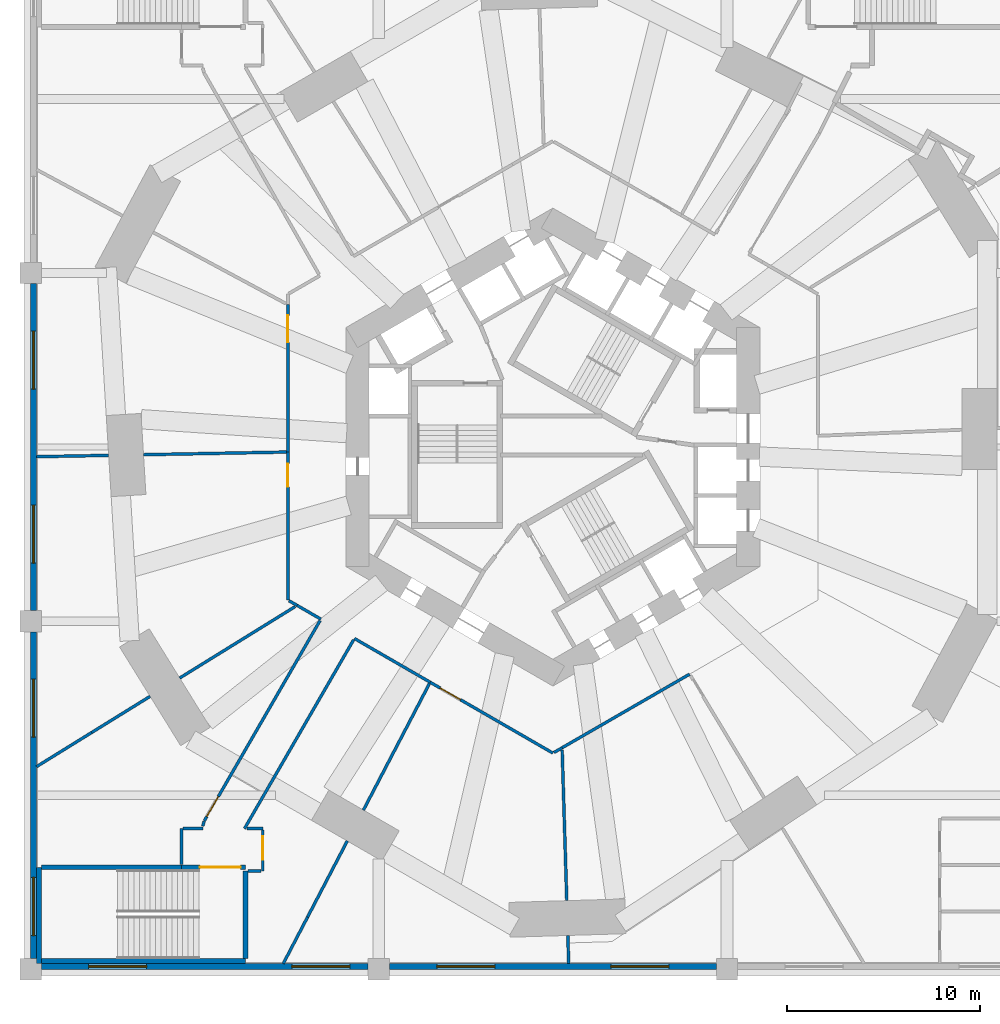
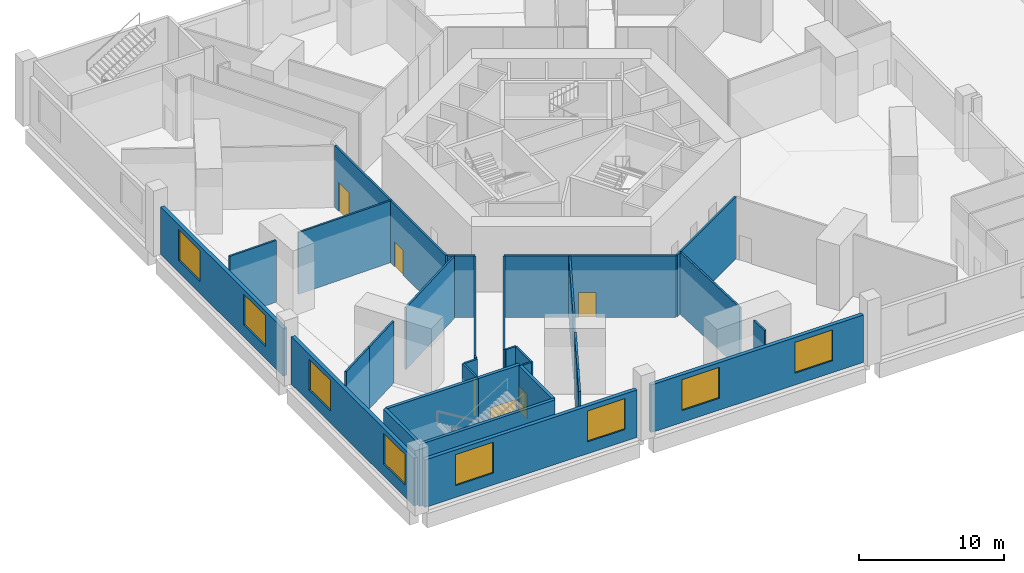
# One storey, part 5 of 16: 35 walls, 8 windows, 6 doors, 14 openings.
"""IFC4 building model written with IfcOpenShell, lengths in metres."""

from ifc_helpers import new_model, si_unit, direction, frame, frame_2d, origin, place, context, subcontext, project, spatial, rectangle, extrude, material, layer, layer_set, type_object, element, fill, save


model = new_model("IFC4")

# Units and contexts
model_context = context("Model", 3, precision=1e-05, world=origin(), true_north=direction((0.0, 1.0)))
body_context = subcontext(model_context, "Body", "Model", "MODEL_VIEW")
ifc_project = project(units=[si_unit("LENGTHUNIT", "METRE"), si_unit("AREAUNIT", "SQUARE_METRE"), si_unit("VOLUMEUNIT", "CUBIC_METRE"), si_unit("PLANEANGLEUNIT", "RADIAN"), si_unit("MASSUNIT", "GRAM", prefix="KILO")], contexts=[model_context])

# Site, building, storey
site_placement = place(None, origin())
site = spatial("IfcSite", under=ifc_project, at=site_placement, CompositionType="ELEMENT")
building_placement = place(site_placement, origin())
building = spatial("IfcBuilding", under=site, at=building_placement, Name="Vanh Sen Convention Tower", CompositionType="ELEMENT")
storey_placement = place(building_placement, frame((0.0, 0.0, 7.5)))
storey = spatial("IfcBuildingStorey", under=building, at=storey_placement, Name="L01", CompositionType="ELEMENT", Elevation=7.5)

# Walls
ifc_material_1 = material(Name="Concrete C40/50", Category="concrete")
ifc_layer_1 = layer(ifc_material_1, 0.25)
ifc_layer_set_1 = layer_set([ifc_layer_1], Name="Concrete C40/50")
wall_type_1 = type_object("IfcWallType", Name="Concrete wall 250 REI 180", PredefinedType="SOLIDWALL", material=ifc_layer_set_1)
wall_1_placement = place(storey_placement, frame((-15.89990234375, -21.925048828125, 0.0), z_axis=(0.0, 0.0, 1.0), x_axis=(0.0, -1.0, 0.0)))
element("IfcWall", 1, at=wall_1_placement, inside=storey, type_object=wall_type_1, Name="Fire-resisting wall L01-010", PredefinedType="SOLIDWALL", context=body_context, shape_type="SweptSolid", body=[
    extrude(rectangle(XDim=4.514892578125, YDim=0.25, at=frame_2d((2.25732421875, 0.0))), origin(), (0.0, 0.0, 1.0), 5.199951171875),
])
wall_2_placement = place(storey_placement, frame((-26.43994140625, -21.72509765625, 0.0), z_axis=(0.0, 0.0, 1.0), x_axis=(1.0, 0.0, 0.0)))
element("IfcWall", 2, at=wall_2_placement, inside=storey, type_object=wall_type_1, Name="Fire-resisting wall L01-012", PredefinedType="SOLIDWALL", context=body_context, shape_type="SweptSolid", body=[
    extrude(rectangle(XDim=7.239990234375, YDim=0.25, at=frame_2d((3.6201171875, 0.0))), origin(), (0.0, 0.0, 1.0), 5.199951171875),
])

# Wall, opening, door
wall_3_placement = place(storey_placement, frame((-19.199951171875, -21.72509765625, 0.0), z_axis=(0.0, 0.0, 1.0), x_axis=(1.0, 0.0, 0.0)))
wall_3 = element("IfcWall", 3, at=wall_3_placement, inside=storey, type_object=wall_type_1, Name="Fire-resisting wall L01-013", PredefinedType="SOLIDWALL", context=body_context, shape_type="SweptSolid", body=[
    extrude(rectangle(XDim=3.300048828125, YDim=0.25, at=frame_2d((1.64990234375, 0.0))), origin(), (0.0, 0.0, 1.0), 5.199951171875),
])
opening_1_placement = place(wall_3_placement, frame((0.949951171875, 0.0, 0.0)))
opening_1 = element("IfcOpeningElement", 4, at=opening_1_placement, cuts=wall_3, Name="Opening D01103", PredefinedType="OPENING", context=body_context, shape_type="SweptSolid", body=[
    extrude(rectangle(XDim=2.10009765625, YDim=2.39990234375, at=frame_2d((1.050048828125, 1.199951171875))), frame((0.0, 0.135009765625, 0.0), z_axis=(0.0, -1.0, 0.0), x_axis=(1.0, 0.0, 0.0)), (0.0, 0.0, 1.0), 0.27001953125),
])
ifc_material_2 = material(Name="Steel S355", Category="steel")
door_type_1 = type_object("IfcDoorType", Name="Stair door 2100 EI 60", OperationType="DOUBLE_DOOR_SINGLE_SWING", PredefinedType="DOOR", material=ifc_material_2)
door_1_placement = place(opening_1_placement, frame((2.10009765625, 0.0, 0.0), z_axis=(0.0, 0.0, 1.0), x_axis=(-1.0, 0.0, 0.0)))
door_1 = element("IfcDoor", 5, at=door_1_placement, inside=storey, type_object=door_type_1, Name="Stair door D01103", OperationType="DOUBLE_DOOR_SINGLE_SWING", OverallHeight=2.39990234375, OverallWidth=2.10009765625, PredefinedType="DOOR", context=body_context, shape_type="SweptSolid", body=[
    extrude(rectangle(XDim=2.10009765625, YDim=2.39990234375, at=frame_2d((1.050048828125, 1.199951171875))), frame((0.0, 0.02490234375, 0.0), z_axis=(0.0, -1.0, 0.0), x_axis=(1.0, 0.0, 0.0)), (0.0, 0.0, 1.0), 0.050048828125),
])
fill(opening_1, door_1)

# Walls
wall_4_placement = place(storey_placement, frame((-26.574951171875, -21.72509765625, 0.0), z_axis=(0.0, 0.0, 1.0), x_axis=(0.0, -1.0, 0.0)))
element("IfcWall", 6, at=wall_4_placement, inside=storey, type_object=wall_type_1, Name="Stair enclosure wall PS6 L01", PredefinedType="SOLIDWALL", context=body_context, shape_type="SweptSolid", body=[
    extrude(rectangle(XDim=4.974853515625, YDim=0.25, at=frame_2d((2.4873046875, 0.0))), origin(), (0.0, 0.0, 1.0), 5.199951171875),
])
wall_5_placement = place(storey_placement, frame((-26.449951171875, -26.574951171875, 0.0), z_axis=(0.0, 0.0, 1.0), x_axis=(1.0, 0.0, 0.0)))
element("IfcWall", 7, at=wall_5_placement, inside=storey, type_object=wall_type_1, Name="Stair enclosure wall PS6 L01", PredefinedType="SOLIDWALL", context=body_context, shape_type="SweptSolid", body=[
    extrude(rectangle(XDim=10.550048828125, YDim=0.25, at=frame_2d((5.27490234375, 0.0))), origin(), (0.0, 0.0, 1.0), 5.199951171875),
])
ifc_material_3 = material(Name="Acoustic operable panels on an overhead track", Category="gypsum")
ifc_layer_2 = layer(ifc_material_3, 0.14990234375)
ifc_layer_set_2 = layer_set([ifc_layer_2], Name="Acoustic operable panels on an overhead track")
wall_type_2 = type_object("IfcWallType", Name="Operable partition 150 EI 60", PredefinedType="MOVABLE", material=ifc_layer_set_2)
wall_6_placement = place(storey_placement, frame((-9.79638671875, -18.765869140625, 0.0), z_axis=(0.0, 0.0, 1.0), x_axis=(0.462793341808, 0.886466199456, 0.0)))
element("IfcWall", 8, at=wall_6_placement, inside=storey, type_object=wall_type_2, Name="Operable partition L01-027", PredefinedType="MOVABLE", context=body_context, shape_type="SweptSolid", body=[
    extrude(rectangle(XDim=7.37646484375, YDim=0.14990234375, at=frame_2d((3.688232421875, 0.0))), origin(), (0.0, 0.0, 1.0), 5.199951171875),
])
wall_7_placement = place(storey_placement, frame((-13.780029296875, -0.256591796875, 0.0), z_axis=(0.0, 0.0, 1.0), x_axis=(-0.999826849708, -0.018608347649, 0.0)))
element("IfcWall", 9, at=wall_7_placement, inside=storey, type_object=wall_type_2, Name="Operable partition L01-049", PredefinedType="MOVABLE", context=body_context, shape_type="SweptSolid", body=[
    extrude(rectangle(XDim=7.386474609375, YDim=0.14990234375, at=frame_2d((3.693359375, 0.0))), origin(), (0.0, 0.0, 1.0), 5.199951171875),
])
ifc_material_4 = material(Name="Gypsum board on steel studs", Category="steel")
ifc_layer_3 = layer(ifc_material_4, 0.14990234375)
ifc_layer_set_3 = layer_set([ifc_layer_3], Name="Gypsum board on steel studs")
wall_type_3 = type_object("IfcWallType", Name="Partition 150 EI 60", PredefinedType="PARTITIONING", material=ifc_layer_set_3)
wall_8_placement = place(storey_placement, frame((0.771484375, -25.247802734375, 0.0), z_axis=(0.0, 0.0, 1.0), x_axis=(0.030584206332, -0.99953219374, 0.0)))
element("IfcWall", 10, at=wall_8_placement, inside=storey, type_object=wall_type_3, Name="Partition L01-004", PredefinedType="PARTITIONING", context=body_context, shape_type="SweptSolid", body=[
    extrude(rectangle(XDim=1.452880859375, YDim=0.14990234375, at=frame_2d((0.7265625, 0.0))), origin(), (0.0, 0.0, 1.0), 5.199951171875),
])
wall_9_placement = place(storey_placement, frame((-12.685546875, -24.300048828125, 0.0), z_axis=(0.0, 0.0, 1.0), x_axis=(-0.462800215564, -0.886462610872, 0.0)))
element("IfcWall", 11, at=wall_9_placement, inside=storey, type_object=wall_type_3, Name="Partition L01-005", PredefinedType="PARTITIONING", context=body_context, shape_type="SweptSolid", body=[
    extrude(rectangle(XDim=2.707275390625, YDim=0.14990234375, at=frame_2d((1.353515625, 0.0))), origin(), (0.0, 0.0, 1.0), 5.199951171875),
])
wall_10_placement = place(storey_placement, frame((-12.685546875, -24.300048828125, 0.0), z_axis=(0.0, 0.0, 1.0), x_axis=(0.462800821993, 0.88646229427, 0.0)))
element("IfcWall", 12, at=wall_10_placement, inside=storey, type_object=wall_type_3, Name="Partition L01-006", PredefinedType="PARTITIONING", context=body_context, shape_type="SweptSolid", body=[
    extrude(rectangle(XDim=4.441162109375, YDim=0.14990234375, at=frame_2d((2.220703125, 0.0))), origin(), (0.0, 0.0, 1.0), 5.199951171875),
])
wall_11_placement = place(storey_placement, frame((-15.080078125, -21.925048828125, 0.0), z_axis=(0.0, 0.0, 1.0), x_axis=(-1.0, 0.0, 0.0)))
element("IfcWall", 13, at=wall_11_placement, inside=storey, type_object=wall_type_3, Name="Partition L01-011", PredefinedType="PARTITIONING", context=body_context, shape_type="SweptSolid", body=[
    extrude(rectangle(XDim=0.679931640625, YDim=0.14990234375, at=frame_2d((0.33984375, 0.0))), origin(), (0.0, 0.0, 1.0), 5.199951171875),
])
wall_12_placement = place(storey_placement, frame((-19.199951171875, -21.5849609375, 0.0), z_axis=(0.0, 0.0, 1.0), x_axis=(0.0, 1.0, 0.0)))
element("IfcWall", 14, at=wall_12_placement, inside=storey, type_object=wall_type_3, Name="Partition L01-018", PredefinedType="PARTITIONING", context=body_context, shape_type="SweptSolid", body=[
    extrude(rectangle(XDim=1.85986328125, YDim=0.14990234375, at=frame_2d((0.929931640625, 0.0))), origin(), (0.0, 0.0, 1.0), 5.199951171875),
])

# Wall, opening, door
wall_13_placement = place(storey_placement, frame((-15.0, -19.804931640625, 0.0), z_axis=(0.0, 0.0, 1.0), x_axis=(0.0, -1.0, 0.0)))
wall_13 = element("IfcWall", 15, at=wall_13_placement, inside=storey, type_object=wall_type_3, Name="Partition L01-019", PredefinedType="PARTITIONING", context=body_context, shape_type="SweptSolid", body=[
    extrude(rectangle(XDim=2.1201171875, YDim=0.14990234375, at=frame_2d((1.06005859375, 0.0))), origin(), (0.0, 0.0, 1.0), 5.199951171875),
])
opening_2_placement = place(wall_13_placement, frame((0.320068359375, 0.0, 0.0)))
opening_2 = element("IfcOpeningElement", 16, at=opening_2_placement, cuts=wall_13, Name="Opening D01106", PredefinedType="OPENING", context=body_context, shape_type="SweptSolid", body=[
    extrude(rectangle(XDim=1.199951171875, YDim=2.10009765625, at=frame_2d((0.60009765625, 1.050048828125))), frame((0.0, 0.0849609375, 0.0), z_axis=(0.0, -1.0, 0.0), x_axis=(1.0, 0.0, 0.0)), (0.0, 0.0, 1.0), 0.169921875),
])
ifc_material_5 = material(Name="Timber door in steel frame", Category="steel")
door_type_2 = type_object("IfcDoorType", Name="Room door 1200 EI 30", OperationType="SINGLE_SWING_LEFT", PredefinedType="DOOR", material=ifc_material_5)
door_2_placement = place(opening_2_placement, origin())
door_2 = element("IfcDoor", 17, at=door_2_placement, inside=storey, type_object=door_type_2, Name="Room door D01106", OperationType="SINGLE_SWING_LEFT", OverallHeight=2.10009765625, OverallWidth=1.199951171875, PredefinedType="DOOR", context=body_context, shape_type="SweptSolid", body=[
    extrude(rectangle(XDim=1.199951171875, YDim=2.10009765625, at=frame_2d((0.60009765625, 1.050048828125))), frame((0.0, 0.02490234375, 0.0), z_axis=(0.0, -1.0, 0.0), x_axis=(1.0, 0.0, 0.0)), (0.0, 0.0, 1.0), 0.050048828125),
])
fill(opening_2, door_2)

# Walls
wall_14_placement = place(storey_placement, frame((-19.1201171875, -19.72509765625, 0.0), z_axis=(0.0, 0.0, 1.0), x_axis=(1.0, 0.0, 0.0)))
element("IfcWall", 18, at=wall_14_placement, inside=storey, type_object=wall_type_3, Name="Partition L01-020", PredefinedType="PARTITIONING", context=body_context, shape_type="SweptSolid", body=[
    extrude(rectangle(XDim=1.02001953125, YDim=0.14990234375, at=frame_2d((0.510009765625, 0.0))), origin(), (0.0, 0.0, 1.0), 5.199951171875),
])
wall_15_placement = place(storey_placement, frame((-15.824951171875, -19.72509765625, 0.0), z_axis=(0.0, 0.0, 1.0), x_axis=(1.0, 0.0, 0.0)))
element("IfcWall", 19, at=wall_15_placement, inside=storey, type_object=wall_type_3, Name="Partition L01-021", PredefinedType="PARTITIONING", context=body_context, shape_type="SweptSolid", body=[
    extrude(rectangle(XDim=0.824951171875, YDim=0.14990234375, at=frame_2d((0.41259765625, 0.0))), origin(), (0.0, 0.0, 1.0), 5.199951171875),
])
wall_16_placement = place(storey_placement, frame((-18.10009765625, -19.593017578125, 0.0), z_axis=(0.0, 0.0, 1.0), x_axis=(0.260139468531, 0.965571052234, 0.0)))
element("IfcWall", 20, at=wall_16_placement, inside=storey, type_object=wall_type_3, Name="Partition L01-023", PredefinedType="PARTITIONING", context=body_context, shape_type="SweptSolid", body=[
    extrude(rectangle(XDim=0.263671875, YDim=0.14990234375, at=frame_2d((0.1318359375, 0.0))), origin(), (0.0, 0.0, 1.0), 5.199951171875),
])

# Wall, opening, door
wall_17_placement = place(storey_placement, frame((-18.021484375, -19.3212890625, 0.0), z_axis=(0.0, 0.0, 1.0), x_axis=(0.500403049961, 0.865792577694, 0.0)))
wall_17 = element("IfcWall", 21, at=wall_17_placement, inside=storey, type_object=wall_type_3, Name="Partition L01-024", PredefinedType="PARTITIONING", context=body_context, shape_type="SweptSolid", body=[
    extrude(rectangle(XDim=11.96337890625, YDim=0.14990234375, at=frame_2d((5.981689453125, 0.0))), origin(), (0.0, 0.0, 1.0), 5.199951171875),
])
opening_3_placement = place(wall_17_placement, frame((0.25, 0.0, 0.0)))
opening_3 = element("IfcOpeningElement", 22, at=opening_3_placement, cuts=wall_17, Name="Opening D01107", PredefinedType="OPENING", context=body_context, shape_type="SweptSolid", body=[
    extrude(rectangle(XDim=1.199951171875, YDim=2.10009765625, at=frame_2d((0.60009765625, 1.050048828125))), frame((0.0, 0.0849609375, 0.0), z_axis=(0.0, -1.0, 0.0), x_axis=(1.0, 0.0, 0.0)), (0.0, 0.0, 1.0), 0.169921875),
])
door_3_placement = place(opening_3_placement, origin())
door_3 = element("IfcDoor", 23, at=door_3_placement, inside=storey, type_object=door_type_2, Name="Room door D01107", OperationType="SINGLE_SWING_LEFT", OverallHeight=2.10009765625, OverallWidth=1.199951171875, PredefinedType="DOOR", context=body_context, shape_type="SweptSolid", body=[
    extrude(rectangle(XDim=1.199951171875, YDim=2.10009765625, at=frame_2d((0.60009765625, 1.050048828125))), frame((0.0, 0.02490234375, 0.0), z_axis=(0.0, -1.0, 0.0), x_axis=(1.0, 0.0, 0.0)), (0.0, 0.0, 1.0), 0.050048828125),
])
fill(opening_3, door_3)

wall_18_placement = place(storey_placement, frame((0.0, -15.819580078125, 0.0), z_axis=(0.0, 0.0, 1.0), x_axis=(-0.866018019704, 0.500012789385, 0.0)))
wall_18 = element("IfcWall", 24, at=wall_18_placement, inside=storey, type_object=wall_type_3, Name="Partition L01-029", PredefinedType="PARTITIONING", context=body_context, shape_type="SweptSolid", body=[
    extrude(rectangle(XDim=7.327392578125, YDim=0.14990234375, at=frame_2d((3.66357421875, 0.0))), origin(), (0.0, 0.0, 1.0), 5.199951171875),
])
opening_4_placement = place(wall_18_placement, frame((5.52734375, 0.0, 0.0)))
opening_4 = element("IfcOpeningElement", 25, at=opening_4_placement, cuts=wall_18, Name="Opening D01110", PredefinedType="OPENING", context=body_context, shape_type="SweptSolid", body=[
    extrude(rectangle(XDim=1.199951171875, YDim=2.10009765625, at=frame_2d((0.60009765625, 1.050048828125))), frame((0.0, 0.0849609375, 0.0), z_axis=(0.0, -1.0, 0.0), x_axis=(1.0, 0.0, 0.0)), (0.0, 0.0, 1.0), 0.169921875),
])
door_4_placement = place(opening_4_placement, origin())
door_4 = element("IfcDoor", 26, at=door_4_placement, inside=storey, type_object=door_type_2, Name="Room door D01110", OperationType="SINGLE_SWING_LEFT", OverallHeight=2.10009765625, OverallWidth=1.199951171875, PredefinedType="DOOR", context=body_context, shape_type="SweptSolid", body=[
    extrude(rectangle(XDim=1.199951171875, YDim=2.10009765625, at=frame_2d((0.60009765625, 1.050048828125))), frame((0.0, 0.02490234375, 0.0), z_axis=(0.0, -1.0, 0.0), x_axis=(1.0, 0.0, 0.0)), (0.0, 0.0, 1.0), 0.050048828125),
])
fill(opening_4, door_4)

# Walls
wall_19_placement = place(storey_placement, frame((0.478759765625, -15.6650390625, 0.0), z_axis=(0.0, 0.0, 1.0), x_axis=(0.030535907252, -0.999533670453, 0.0)))
element("IfcWall", 27, at=wall_19_placement, inside=storey, type_object=wall_type_3, Name="Partition L01-030", PredefinedType="PARTITIONING", context=body_context, shape_type="SweptSolid", body=[
    extrude(rectangle(XDim=7.787353515625, YDim=0.14990234375, at=frame_2d((3.8935546875, 0.0))), origin(), (0.0, 0.0, 1.0), 5.199951171875),
])
wall_20_placement = place(storey_placement, frame((0.474853515625, -15.545166015625, 0.0), z_axis=(0.0, 0.0, 1.0), x_axis=(0.866021168401, 0.500007335828, 0.0)))
element("IfcWall", 28, at=wall_20_placement, inside=storey, type_object=wall_type_3, Name="Partition L01-031", PredefinedType="PARTITIONING", context=body_context, shape_type="SweptSolid", body=[
    extrude(rectangle(XDim=7.6162109375, YDim=0.14990234375, at=frame_2d((3.80810546875, 0.0))), origin(), (0.0, 0.0, 1.0), 5.199951171875),
])
wall_21_placement = place(storey_placement, frame((0.47509765625, -15.545166015625, 0.0), z_axis=(0.0, 0.0, 1.0), x_axis=(-0.865927594567, -0.50016937228, 0.0)))
element("IfcWall", 29, at=wall_21_placement, inside=storey, type_object=wall_type_3, Name="Partition L01-032", PredefinedType="PARTITIONING", context=body_context, shape_type="SweptSolid", body=[
    extrude(rectangle(XDim=0.488525390625, YDim=0.14990234375, at=frame_2d((0.244140625, 0.0))), origin(), (0.0, 0.0, 1.0), 5.199951171875),
])
wall_22_placement = place(storey_placement, frame((-23.843017578125, -14.75439453125, 0.0), z_axis=(0.0, 0.0, 1.0), x_axis=(-0.850333278488, -0.526244539635, 0.0)))
element("IfcWall", 30, at=wall_22_placement, inside=storey, type_object=wall_type_3, Name="Partition L01-033", PredefinedType="PARTITIONING", context=body_context, shape_type="SweptSolid", body=[
    extrude(rectangle(XDim=3.35986328125, YDim=0.14990234375, at=frame_2d((1.679931640625, 0.0))), origin(), (0.0, 0.0, 1.0), 5.199951171875),
])
wall_23_placement = place(storey_placement, frame((-23.843017578125, -14.75439453125, 0.0), z_axis=(0.0, 0.0, 1.0), x_axis=(0.850369165181, 0.526186547633, 0.0)))
element("IfcWall", 31, at=wall_23_placement, inside=storey, type_object=wall_type_3, Name="Partition L01-034", PredefinedType="PARTITIONING", context=body_context, shape_type="SweptSolid", body=[
    extrude(rectangle(XDim=3.55078125, YDim=0.14990234375, at=frame_2d((1.775390625, 0.0))), origin(), (0.0, 0.0, 1.0), 5.199951171875),
])
wall_24_placement = place(storey_placement, frame((-6.345703125, -12.15576171875, 0.0), z_axis=(0.0, 0.0, 1.0), x_axis=(-0.866015706063, 0.50001679657, 0.0)))
element("IfcWall", 32, at=wall_24_placement, inside=storey, type_object=wall_type_3, Name="Partition L01-036", PredefinedType="PARTITIONING", context=body_context, shape_type="SweptSolid", body=[
    extrude(rectangle(XDim=4.523193359375, YDim=0.14990234375, at=frame_2d((2.26171875, 0.0))), origin(), (0.0, 0.0, 1.0), 5.199951171875),
])
wall_25_placement = place(storey_placement, frame((-19.29296875, -11.93896484375, 0.0), z_axis=(0.0, 0.0, 1.0), x_axis=(0.85034374829, 0.526227621609, 0.0)))
element("IfcWall", 33, at=wall_25_placement, inside=storey, type_object=wall_type_3, Name="Partition L01-037", PredefinedType="PARTITIONING", context=body_context, shape_type="SweptSolid", body=[
    extrude(rectangle(XDim=7.015869140625, YDim=0.14990234375, at=frame_2d((3.5078125, 0.0))), origin(), (0.0, 0.0, 1.0), 5.199951171875),
])
wall_26_placement = place(storey_placement, frame((-10.302978515625, -9.96337890625, 0.0), z_axis=(0.0, 0.0, 1.0), x_axis=(-0.500409628778, -0.865788775295, 0.0)))
element("IfcWall", 34, at=wall_26_placement, inside=storey, type_object=wall_type_3, Name="Partition L01-038", PredefinedType="PARTITIONING", context=body_context, shape_type="SweptSolid", body=[
    extrude(rectangle(XDim=11.27490234375, YDim=0.14990234375, at=frame_2d((5.637451171875, 0.0))), origin(), (0.0, 0.0, 1.0), 5.199951171875),
])
wall_27_placement = place(storey_placement, frame((-11.9951171875, -8.89404296875, 0.0), z_axis=(0.0, 0.0, 1.0), x_axis=(-0.866076810767, 0.499910949922, 0.0)))
element("IfcWall", 35, at=wall_27_placement, inside=storey, type_object=wall_type_3, Name="Partition L01-041", PredefinedType="PARTITIONING", context=body_context, shape_type="SweptSolid", body=[
    extrude(rectangle(XDim=1.420166015625, YDim=0.14990234375, at=frame_2d((0.7099609375, 0.0))), origin(), (0.0, 0.0, 1.0), 5.199951171875),
])
wall_28_placement = place(storey_placement, frame((-13.64794921875, -7.939453125, 0.0), z_axis=(0.0, 0.0, 1.0), x_axis=(0.865585916185, -0.500760443428, 0.0)))
element("IfcWall", 36, at=wall_28_placement, inside=storey, type_object=wall_type_3, Name="Partition L01-044", PredefinedType="PARTITIONING", context=body_context, shape_type="SweptSolid", body=[
    extrude(rectangle(XDim=0.488525390625, YDim=0.14990234375, at=frame_2d((0.244140625, 0.0))), origin(), (0.0, 0.0, 1.0), 5.199951171875),
])

# Wall, opening, door
wall_29_placement = place(storey_placement, frame((-13.699951171875, -7.909423828125, 0.0), z_axis=(0.0, 0.0, 1.0), x_axis=(0.0, 1.0, 0.0)))
wall_29 = element("IfcWall", 37, at=wall_29_placement, inside=storey, type_object=wall_type_3, Name="Partition L01-045", PredefinedType="PARTITIONING", context=body_context, shape_type="SweptSolid", body=[
    extrude(rectangle(XDim=7.654541015625, YDim=0.14990234375, at=frame_2d((3.8271484375, 0.0))), origin(), (0.0, 0.0, 1.0), 5.199951171875),
])
opening_5_placement = place(wall_29_placement, frame((5.8544921875, 0.0, 0.0)))
opening_5 = element("IfcOpeningElement", 38, at=opening_5_placement, cuts=wall_29, Name="Opening D01112", PredefinedType="OPENING", context=body_context, shape_type="SweptSolid", body=[
    extrude(rectangle(XDim=1.199951171875, YDim=2.10009765625, at=frame_2d((0.60009765625, 1.050048828125))), frame((0.0, 0.0849609375, 0.0), z_axis=(0.0, -1.0, 0.0), x_axis=(1.0, 0.0, 0.0)), (0.0, 0.0, 1.0), 0.169921875),
])
door_5_placement = place(opening_5_placement, origin())
door_5 = element("IfcDoor", 39, at=door_5_placement, inside=storey, type_object=door_type_2, Name="Room door D01112", OperationType="SINGLE_SWING_LEFT", OverallHeight=2.10009765625, OverallWidth=1.199951171875, PredefinedType="DOOR", context=body_context, shape_type="SweptSolid", body=[
    extrude(rectangle(XDim=1.199951171875, YDim=2.10009765625, at=frame_2d((0.60009765625, 1.050048828125))), frame((0.0, 0.02490234375, 0.0), z_axis=(0.0, -1.0, 0.0), x_axis=(1.0, 0.0, 0.0)), (0.0, 0.0, 1.0), 0.050048828125),
])
fill(opening_5, door_5)

# Wall
wall_30_placement = place(storey_placement, frame((-22.966552734375, -0.427490234375, 0.0), z_axis=(0.0, 0.0, 1.0), x_axis=(-0.999826372694, -0.018633959993, 0.0)))
element("IfcWall", 40, at=wall_30_placement, inside=storey, type_object=wall_type_3, Name="Partition L01-048", PredefinedType="PARTITIONING", context=body_context, shape_type="SweptSolid", body=[
    extrude(rectangle(XDim=3.734130859375, YDim=0.14990234375, at=frame_2d((1.8671875, 0.0))), origin(), (0.0, 0.0, 1.0), 5.199951171875),
])

# Wall, opening, door
wall_31_placement = place(storey_placement, frame((-13.699951171875, -0.2548828125, 0.0), z_axis=(0.0, 0.0, 1.0), x_axis=(0.0, 1.0, 0.0)))
wall_31 = element("IfcWall", 41, at=wall_31_placement, inside=storey, type_object=wall_type_3, Name="Partition L01-050", PredefinedType="PARTITIONING", context=body_context, shape_type="SweptSolid", body=[
    extrude(rectangle(XDim=7.616455078125, YDim=0.14990234375, at=frame_2d((3.80810546875, 0.0))), origin(), (0.0, 0.0, 1.0), 5.199951171875),
])
opening_6_placement = place(wall_31_placement, frame((5.66650390625, 0.0, 0.0)))
opening_6 = element("IfcOpeningElement", 42, at=opening_6_placement, cuts=wall_31, Name="Opening D01114", PredefinedType="OPENING", context=body_context, shape_type="SweptSolid", body=[
    extrude(rectangle(XDim=1.39990234375, YDim=2.39990234375, at=frame_2d((0.699951171875, 1.199951171875))), frame((0.0, 0.0849609375, 0.0), z_axis=(0.0, -1.0, 0.0), x_axis=(1.0, 0.0, 0.0)), (0.0, 0.0, 1.0), 0.169921875),
])
door_type_3 = type_object("IfcDoorType", Name="Double door 1400 EI 30", OperationType="SINGLE_SWING_LEFT", PredefinedType="DOOR", material=ifc_material_5)
door_6_placement = place(opening_6_placement, origin())
door_6 = element("IfcDoor", 43, at=door_6_placement, inside=storey, type_object=door_type_3, Name="Double door D01114", OperationType="SINGLE_SWING_LEFT", OverallHeight=2.39990234375, OverallWidth=1.39990234375, PredefinedType="DOOR", context=body_context, shape_type="SweptSolid", body=[
    extrude(rectangle(XDim=1.39990234375, YDim=2.39990234375, at=frame_2d((0.699951171875, 1.199951171875))), frame((0.0, 0.02490234375, 0.0), z_axis=(0.0, -1.0, 0.0), x_axis=(1.0, 0.0, 0.0)), (0.0, 0.0, 1.0), 0.050048828125),
])
fill(opening_6, door_6)

# Wall, openings, windows
ifc_material_6 = material(Name="Concrete C50/60", Category="concrete")
ifc_layer_4 = layer(ifc_material_6, 0.300048828125)
ifc_layer_set_4 = layer_set([ifc_layer_4], Name="Concrete C50/60")
wall_type_4 = type_object("IfcWallType", Name="Podium wall 300", PredefinedType="STANDARD", material=ifc_layer_set_4)
wall_32_placement = place(storey_placement, frame((-26.449951171875, -26.85009765625, 0.0), z_axis=(0.0, 0.0, 1.0), x_axis=(1.0, 0.0, 0.0)))
wall_32 = element("IfcWall", 44, at=wall_32_placement, inside=storey, type_object=wall_type_4, Name="Podium wall S1 L01", PredefinedType="STANDARD", context=body_context, shape_type="SweptSolid", body=[
    extrude(rectangle(XDim=16.89990234375, YDim=0.300048828125, at=frame_2d((8.449951171875, 0.0))), origin(), (0.0, 0.0, 1.0), 4.0),
])
opening_7_placement = place(wall_32_placement, frame((2.449951171875, 0.0, 1.0)))
opening_7 = element("IfcOpeningElement", 45, at=opening_7_placement, cuts=wall_32, Name="Opening WP2-S1", PredefinedType="OPENING", context=body_context, shape_type="SweptSolid", body=[
    extrude(rectangle(XDim=3.0, YDim=2.60009765625, at=frame_2d((1.5, 1.300048828125))), frame((0.0, 0.159912109375, 0.0), z_axis=(0.0, -1.0, 0.0), x_axis=(1.0, 0.0, 0.0)), (0.0, 0.0, 1.0), 0.320068359375),
])
opening_8_placement = place(wall_32_placement, frame((12.949951171875, 0.0, 1.0)))
opening_8 = element("IfcOpeningElement", 46, at=opening_8_placement, cuts=wall_32, Name="Opening WP2-S2", PredefinedType="OPENING", context=body_context, shape_type="SweptSolid", body=[
    extrude(rectangle(XDim=3.0, YDim=2.60009765625, at=frame_2d((1.5, 1.300048828125))), frame((0.0, 0.159912109375, 0.0), z_axis=(0.0, -1.0, 0.0), x_axis=(1.0, 0.0, 0.0)), (0.0, 0.0, 1.0), 0.320068359375),
])
ifc_material_7 = material(Name="Aluminium frame with clear low-emissivity glass", Category="aluminium")
window_type = type_object("IfcWindowType", Name="Podium window 3000 x 2600", PartitioningType="SINGLE_PANEL", PredefinedType="WINDOW", material=ifc_material_7)
window_1_placement = place(opening_7_placement, origin())
window_1 = element("IfcWindow", 47, at=window_1_placement, inside=storey, type_object=window_type, Name="Window WP2-S1", OverallHeight=2.60009765625, OverallWidth=3.0, PartitioningType="SINGLE_PANEL", PredefinedType="WINDOW", context=body_context, shape_type="SweptSolid", body=[
    extrude(rectangle(XDim=3.0, YDim=2.60009765625, at=frame_2d((1.5, 1.300048828125))), frame((0.0, 0.030029296875, 0.0), z_axis=(0.0, -1.0, 0.0), x_axis=(1.0, 0.0, 0.0)), (0.0, 0.0, 1.0), 0.06005859375),
])
fill(opening_7, window_1)
window_2_placement = place(opening_8_placement, origin())
window_2 = element("IfcWindow", 48, at=window_2_placement, inside=storey, type_object=window_type, Name="Window WP2-S2", OverallHeight=2.60009765625, OverallWidth=3.0, PartitioningType="SINGLE_PANEL", PredefinedType="WINDOW", context=body_context, shape_type="SweptSolid", body=[
    extrude(rectangle(XDim=3.0, YDim=2.60009765625, at=frame_2d((1.5, 1.300048828125))), frame((0.0, 0.030029296875, 0.0), z_axis=(0.0, -1.0, 0.0), x_axis=(1.0, 0.0, 0.0)), (0.0, 0.0, 1.0), 0.06005859375),
])
fill(opening_8, window_2)

wall_33_placement = place(storey_placement, frame((-8.449951171875, -26.85009765625, 0.0), z_axis=(0.0, 0.0, 1.0), x_axis=(1.0, 0.0, 0.0)))
wall_33 = element("IfcWall", 49, at=wall_33_placement, inside=storey, type_object=wall_type_4, Name="Podium wall S2 L01", PredefinedType="STANDARD", context=body_context, shape_type="SweptSolid", body=[
    extrude(rectangle(XDim=16.89990234375, YDim=0.300048828125, at=frame_2d((8.449951171875, 0.0))), origin(), (0.0, 0.0, 1.0), 4.0),
])
opening_9_placement = place(wall_33_placement, frame((2.449951171875, 0.0, 1.0)))
opening_9 = element("IfcOpeningElement", 50, at=opening_9_placement, cuts=wall_33, Name="Opening WP2-S3", PredefinedType="OPENING", context=body_context, shape_type="SweptSolid", body=[
    extrude(rectangle(XDim=3.0, YDim=2.60009765625, at=frame_2d((1.5, 1.300048828125))), frame((0.0, 0.159912109375, 0.0), z_axis=(0.0, -1.0, 0.0), x_axis=(1.0, 0.0, 0.0)), (0.0, 0.0, 1.0), 0.320068359375),
])
opening_10_placement = place(wall_33_placement, frame((11.449951171875, 0.0, 1.0)))
opening_10 = element("IfcOpeningElement", 51, at=opening_10_placement, cuts=wall_33, Name="Opening WP2-S4", PredefinedType="OPENING", context=body_context, shape_type="SweptSolid", body=[
    extrude(rectangle(XDim=3.0, YDim=2.60009765625, at=frame_2d((1.5, 1.300048828125))), frame((0.0, 0.159912109375, 0.0), z_axis=(0.0, -1.0, 0.0), x_axis=(1.0, 0.0, 0.0)), (0.0, 0.0, 1.0), 0.320068359375),
])
window_3_placement = place(opening_9_placement, origin())
window_3 = element("IfcWindow", 52, at=window_3_placement, inside=storey, type_object=window_type, Name="Window WP2-S3", OverallHeight=2.60009765625, OverallWidth=3.0, PartitioningType="SINGLE_PANEL", PredefinedType="WINDOW", context=body_context, shape_type="SweptSolid", body=[
    extrude(rectangle(XDim=3.0, YDim=2.60009765625, at=frame_2d((1.5, 1.300048828125))), frame((0.0, 0.030029296875, 0.0), z_axis=(0.0, -1.0, 0.0), x_axis=(1.0, 0.0, 0.0)), (0.0, 0.0, 1.0), 0.06005859375),
])
fill(opening_9, window_3)
window_4_placement = place(opening_10_placement, origin())
window_4 = element("IfcWindow", 53, at=window_4_placement, inside=storey, type_object=window_type, Name="Window WP2-S4", OverallHeight=2.60009765625, OverallWidth=3.0, PartitioningType="SINGLE_PANEL", PredefinedType="WINDOW", context=body_context, shape_type="SweptSolid", body=[
    extrude(rectangle(XDim=3.0, YDim=2.60009765625, at=frame_2d((1.5, 1.300048828125))), frame((0.0, 0.030029296875, 0.0), z_axis=(0.0, -1.0, 0.0), x_axis=(1.0, 0.0, 0.0)), (0.0, 0.0, 1.0), 0.06005859375),
])
fill(opening_10, window_4)

wall_34_placement = place(storey_placement, frame((-26.85009765625, 8.449951171875, 0.0), z_axis=(0.0, 0.0, 1.0), x_axis=(0.0, -1.0, 0.0)))
wall_34 = element("IfcWall", 54, at=wall_34_placement, inside=storey, type_object=wall_type_4, Name="Podium wall W2 L01", PredefinedType="STANDARD", context=body_context, shape_type="SweptSolid", body=[
    extrude(rectangle(XDim=16.89990234375, YDim=0.300048828125, at=frame_2d((8.449951171875, 0.0))), origin(), (0.0, 0.0, 1.0), 4.0),
])
opening_11_placement = place(wall_34_placement, frame((2.449951171875, 0.0, 1.0)))
opening_11 = element("IfcOpeningElement", 55, at=opening_11_placement, cuts=wall_34, Name="Opening WP2-W3", PredefinedType="OPENING", context=body_context, shape_type="SweptSolid", body=[
    extrude(rectangle(XDim=3.0, YDim=2.60009765625, at=frame_2d((1.5, 1.300048828125))), frame((0.0, 0.159912109375, 0.0), z_axis=(0.0, -1.0, 0.0), x_axis=(1.0, 0.0, 0.0)), (0.0, 0.0, 1.0), 0.320068359375),
])
opening_12_placement = place(wall_34_placement, frame((11.449951171875, 0.0, 1.0)))
opening_12 = element("IfcOpeningElement", 56, at=opening_12_placement, cuts=wall_34, Name="Opening WP2-W4", PredefinedType="OPENING", context=body_context, shape_type="SweptSolid", body=[
    extrude(rectangle(XDim=3.0, YDim=2.60009765625, at=frame_2d((1.5, 1.300048828125))), frame((0.0, 0.159912109375, 0.0), z_axis=(0.0, -1.0, 0.0), x_axis=(1.0, 0.0, 0.0)), (0.0, 0.0, 1.0), 0.320068359375),
])
window_5_placement = place(opening_11_placement, origin())
window_5 = element("IfcWindow", 57, at=window_5_placement, inside=storey, type_object=window_type, Name="Window WP2-W3", OverallHeight=2.60009765625, OverallWidth=3.0, PartitioningType="SINGLE_PANEL", PredefinedType="WINDOW", context=body_context, shape_type="SweptSolid", body=[
    extrude(rectangle(XDim=3.0, YDim=2.60009765625, at=frame_2d((1.5, 1.300048828125))), frame((0.0, 0.030029296875, 0.0), z_axis=(0.0, -1.0, 0.0), x_axis=(1.0, 0.0, 0.0)), (0.0, 0.0, 1.0), 0.06005859375),
])
fill(opening_11, window_5)
window_6_placement = place(opening_12_placement, origin())
window_6 = element("IfcWindow", 58, at=window_6_placement, inside=storey, type_object=window_type, Name="Window WP2-W4", OverallHeight=2.60009765625, OverallWidth=3.0, PartitioningType="SINGLE_PANEL", PredefinedType="WINDOW", context=body_context, shape_type="SweptSolid", body=[
    extrude(rectangle(XDim=3.0, YDim=2.60009765625, at=frame_2d((1.5, 1.300048828125))), frame((0.0, 0.030029296875, 0.0), z_axis=(0.0, -1.0, 0.0), x_axis=(1.0, 0.0, 0.0)), (0.0, 0.0, 1.0), 0.06005859375),
])
fill(opening_12, window_6)

wall_35_placement = place(storey_placement, frame((-26.85009765625, -9.550048828125, 0.0), z_axis=(0.0, 0.0, 1.0), x_axis=(0.0, -1.0, 0.0)))
wall_35 = element("IfcWall", 59, at=wall_35_placement, inside=storey, type_object=wall_type_4, Name="Podium wall W3 L01", PredefinedType="STANDARD", context=body_context, shape_type="SweptSolid", body=[
    extrude(rectangle(XDim=16.89990234375, YDim=0.300048828125, at=frame_2d((8.449951171875, 0.0))), origin(), (0.0, 0.0, 1.0), 4.0),
])
opening_13_placement = place(wall_35_placement, frame((2.449951171875, 0.0, 1.0)))
opening_13 = element("IfcOpeningElement", 60, at=opening_13_placement, cuts=wall_35, Name="Opening WP2-W5", PredefinedType="OPENING", context=body_context, shape_type="SweptSolid", body=[
    extrude(rectangle(XDim=3.0, YDim=2.60009765625, at=frame_2d((1.5, 1.300048828125))), frame((0.0, 0.159912109375, 0.0), z_axis=(0.0, -1.0, 0.0), x_axis=(1.0, 0.0, 0.0)), (0.0, 0.0, 1.0), 0.320068359375),
])
opening_14_placement = place(wall_35_placement, frame((12.699951171875, 0.0, 1.0)))
opening_14 = element("IfcOpeningElement", 61, at=opening_14_placement, cuts=wall_35, Name="Opening WP2-W6", PredefinedType="OPENING", context=body_context, shape_type="SweptSolid", body=[
    extrude(rectangle(XDim=3.0, YDim=2.60009765625, at=frame_2d((1.5, 1.300048828125))), frame((0.0, 0.159912109375, 0.0), z_axis=(0.0, -1.0, 0.0), x_axis=(1.0, 0.0, 0.0)), (0.0, 0.0, 1.0), 0.320068359375),
])
window_7_placement = place(opening_13_placement, origin())
window_7 = element("IfcWindow", 62, at=window_7_placement, inside=storey, type_object=window_type, Name="Window WP2-W5", OverallHeight=2.60009765625, OverallWidth=3.0, PartitioningType="SINGLE_PANEL", PredefinedType="WINDOW", context=body_context, shape_type="SweptSolid", body=[
    extrude(rectangle(XDim=3.0, YDim=2.60009765625, at=frame_2d((1.5, 1.300048828125))), frame((0.0, 0.030029296875, 0.0), z_axis=(0.0, -1.0, 0.0), x_axis=(1.0, 0.0, 0.0)), (0.0, 0.0, 1.0), 0.06005859375),
])
fill(opening_13, window_7)
window_8_placement = place(opening_14_placement, origin())
window_8 = element("IfcWindow", 63, at=window_8_placement, inside=storey, type_object=window_type, Name="Window WP2-W6", OverallHeight=2.60009765625, OverallWidth=3.0, PartitioningType="SINGLE_PANEL", PredefinedType="WINDOW", context=body_context, shape_type="SweptSolid", body=[
    extrude(rectangle(XDim=3.0, YDim=2.60009765625, at=frame_2d((1.5, 1.300048828125))), frame((0.0, 0.030029296875, 0.0), z_axis=(0.0, -1.0, 0.0), x_axis=(1.0, 0.0, 0.0)), (0.0, 0.0, 1.0), 0.06005859375),
])
fill(opening_14, window_8)

save(model, "model.ifc")
